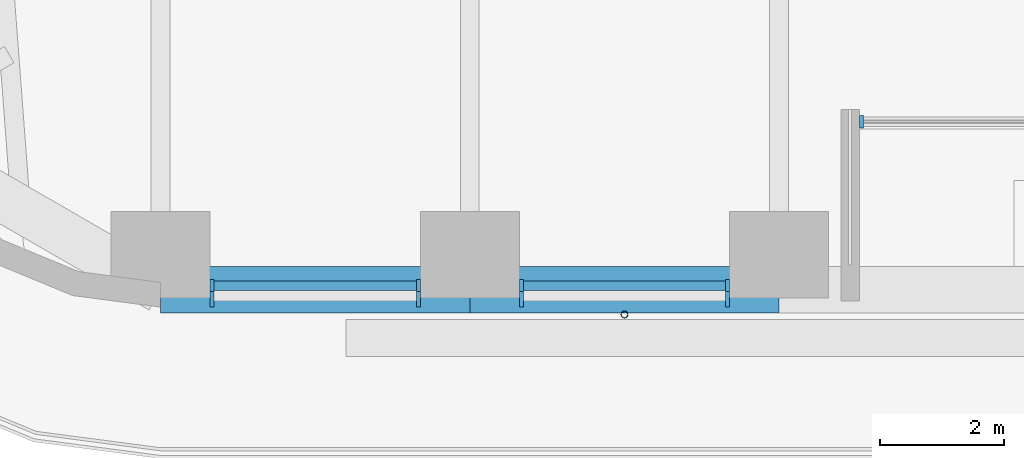
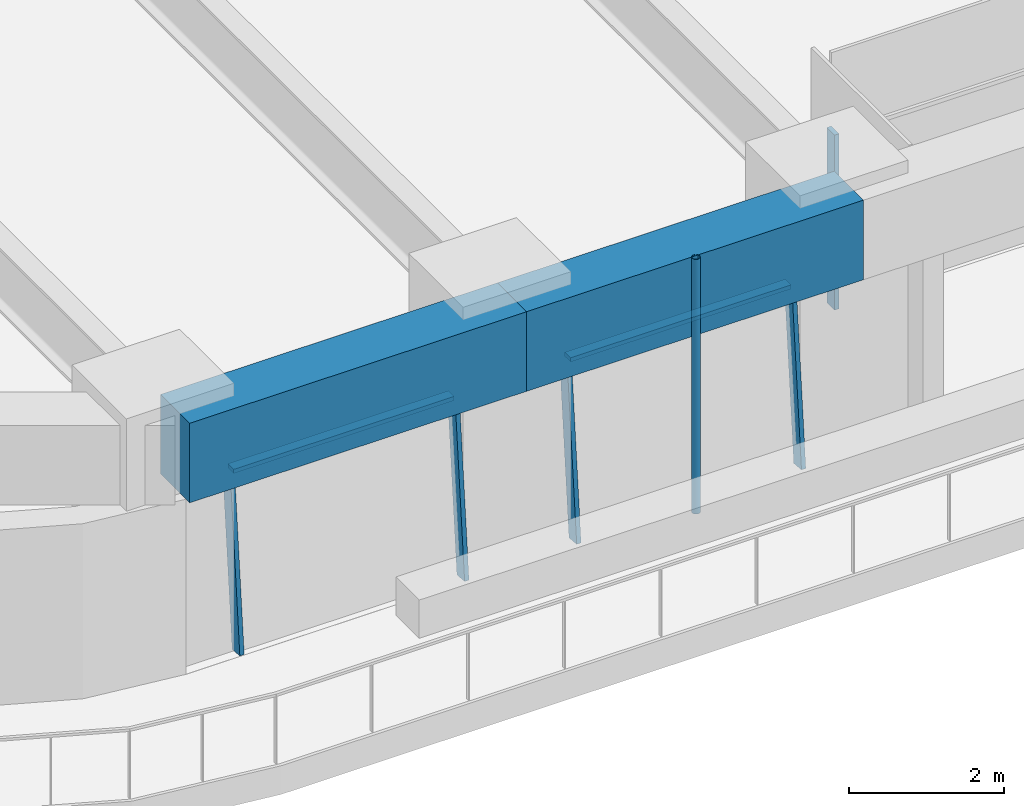
# One storey, part 2 of 24: 8 members, 2 beams, 3 elements without a shape of their own.
"""IFC4 building model written with IfcOpenShell, lengths in metres."""

from ifc_helpers import new_model, si_unit, direction, frame, origin, origin_2d, place, context, subcontext, project, spatial, rectangle, hollow_circle, extrude, material, material_profile, profile_set, type_object, element, aggregate, save


model = new_model("IFC4")

# Units and contexts
model_context = context("Model", 3, precision=1e-05, world=origin(), true_north=direction((0.0, 1.0)))
body_context = subcontext(model_context, "Body", "Model", "MODEL_VIEW")
ifc_project = project(units=[si_unit("LENGTHUNIT", "METRE"), si_unit("AREAUNIT", "SQUARE_METRE"), si_unit("VOLUMEUNIT", "CUBIC_METRE"), si_unit("PLANEANGLEUNIT", "RADIAN"), si_unit("MASSUNIT", "GRAM", prefix="KILO")], contexts=[model_context])

# Site, building, storey
site_placement = place(None, origin())
site = spatial("IfcSite", under=ifc_project, at=site_placement, CompositionType="ELEMENT")
building_placement = place(site_placement, origin())
building = spatial("IfcBuilding", under=site, at=building_placement, Name="Tarfa Lantern Tower", CompositionType="ELEMENT")
storey_placement = place(building_placement, frame((0.0, 0.0, 165.699951171875)))
storey = spatial("IfcBuildingStorey", under=building, at=storey_placement, Name="L37", CompositionType="ELEMENT", Elevation=165.699951171875)

# Curtain wall, members
ifc_material_1 = material(Name="Aluminium framed curtain wall", Category="aluminium")
curtain_wall_type_1 = type_object("IfcCurtainWallType", Name="CW2 CANTED GLAZING MID ZONE 2750", PredefinedType="USERDEFINED", material=ifc_material_1)
curtain_wall_1_placement = place(storey_placement, origin())
curtain_wall_1 = element("IfcCurtainWall", 1, at=curtain_wall_1_placement, inside=storey, type_object=curtain_wall_type_1, Name="CW2 S L37", ObjectType="CURTAIN WALL", PredefinedType="USERDEFINED")
ifc_material_2 = material(Name="Aluminium mullion", Category="aluminium")
ifc_material_profile_1 = material_profile(ifc_material_2, rectangle(XDim=0.06494140625, YDim=0.199951171875, at=origin_2d()), Name="AL MULLION 65x200")
ifc_profile_set_1 = profile_set([ifc_material_profile_1], Name="Aluminium mullion")
member_type_1 = type_object("IfcMemberType", Name="CWM1 MULLION 65x200", PredefinedType="MULLION", material=ifc_profile_set_1)
member_1_placement = place(storey_placement, frame((-14.1787109375, -31.39990234375, 0.0), z_axis=(0.0, 0.090535746043, 0.995893206468), x_axis=(-1.0, 0.0, 0.0)))
member_1 = element("IfcMember", 2, at=member_1_placement, type_object=member_type_1, Name="CW2 mullion 1", PredefinedType="MULLION", context=body_context, shape_type="SweptSolid", body=[
    extrude(rectangle(XDim=0.06494140625, YDim=0.199951171875, at=origin_2d()), origin(), (0.0, 0.0, 1.0), 2.76123046875),
])
member_2_placement = place(storey_placement, frame((-10.83984375, -31.39990234375, 0.0), z_axis=(0.0, 0.090535746043, 0.995893206468), x_axis=(-1.0, 0.0, 0.0)))
member_2 = element("IfcMember", 3, at=member_2_placement, type_object=member_type_1, Name="CW2 mullion 2", PredefinedType="MULLION", context=body_context, shape_type="SweptSolid", body=[
    extrude(rectangle(XDim=0.06494140625, YDim=0.199951171875, at=origin_2d()), origin(), (0.0, 0.0, 1.0), 2.76123046875),
])

curtain_wall_2_placement = place(storey_placement, origin())
curtain_wall_2 = element("IfcCurtainWall", 4, at=curtain_wall_2_placement, inside=storey, type_object=curtain_wall_type_1, Name="CW2 S L37", ObjectType="CURTAIN WALL", PredefinedType="USERDEFINED")
member_3_placement = place(storey_placement, frame((-9.1748046875, -31.39990234375, 0.0), z_axis=(0.0, 0.090535746043, 0.995893206468), x_axis=(-1.0, 0.0, 0.0)))
member_3 = element("IfcMember", 5, at=member_3_placement, type_object=member_type_1, Name="CW2 mullion 1", PredefinedType="MULLION", context=body_context, shape_type="SweptSolid", body=[
    extrude(rectangle(XDim=0.06494140625, YDim=0.199951171875, at=origin_2d()), origin(), (0.0, 0.0, 1.0), 2.76123046875),
])
member_4_placement = place(storey_placement, frame((-5.836181640625, -31.39990234375, 0.0), z_axis=(0.0, 0.090535746043, 0.995893206468), x_axis=(-1.0, 0.0, 0.0)))
member_4 = element("IfcMember", 6, at=member_4_placement, type_object=member_type_1, Name="CW2 mullion 2", PredefinedType="MULLION", context=body_context, shape_type="SweptSolid", body=[
    extrude(rectangle(XDim=0.06494140625, YDim=0.199951171875, at=origin_2d()), origin(), (0.0, 0.0, 1.0), 2.76123046875),
])

# Curtain wall, member
curtain_wall_type_2 = type_object("IfcCurtainWallType", Name="CW10 LOGGIA GLAZING 2750", PredefinedType="USERDEFINED", material=ifc_material_1)
curtain_wall_3_placement = place(storey_placement, origin())
curtain_wall_3 = element("IfcCurtainWall", 7, at=curtain_wall_3_placement, inside=storey, type_object=curtain_wall_type_2, Name="CW10 SL L37", ObjectType="CURTAIN WALL", PredefinedType="USERDEFINED")
member_5_placement = place(storey_placement, frame((-3.671142578125, -28.5, 0.0), z_axis=(0.0, 0.0, 1.0), x_axis=(1.0, 0.0, 0.0)))
member_5 = element("IfcMember", 8, at=member_5_placement, type_object=member_type_1, Name="CW10 mullion 1", PredefinedType="MULLION", context=body_context, shape_type="SweptSolid", body=[
    extrude(rectangle(XDim=0.06494140625, YDim=0.199951171875, at=origin_2d()), origin(), (0.0, 0.0, 1.0), 2.75),
])
aggregate(curtain_wall_3, [member_5])

# Member
ifc_material_3 = material(Name="Aluminium transom", Category="aluminium")
ifc_material_profile_2 = material_profile(ifc_material_3, rectangle(XDim=0.14990234375, YDim=0.06494140625, at=origin_2d()), Name="AL TRANSOM 150x65")
ifc_profile_set_2 = profile_set([ifc_material_profile_2], Name="Aluminium transom")
member_type_2 = type_object("IfcMemberType", Name="CWT1 TRANSOM 150x65", PredefinedType="USERDEFINED", material=ifc_profile_set_2)
member_6_placement = place(storey_placement, frame((-14.14599609375, -31.153076171875, 2.717529296875), z_axis=(1.0, 0.0, 0.0), x_axis=(0.0, 1.0, 0.0)))
member_6 = element("IfcMember", 9, at=member_6_placement, type_object=member_type_2, Name="CW2 transom 1.2", ObjectType="TRANSOM", PredefinedType="USERDEFINED", context=body_context, shape_type="SweptSolid", body=[
    extrude(rectangle(XDim=0.14990234375, YDim=0.06494140625, at=origin_2d()), origin(), (0.0, 0.0, 1.0), 3.273681640625),
])

aggregate(curtain_wall_1, [member_1, member_2, member_6])

member_7_placement = place(storey_placement, frame((-9.142333984375, -31.153076171875, 2.717529296875), z_axis=(1.0, 0.0, 0.0), x_axis=(0.0, 1.0, 0.0)))
member_7 = element("IfcMember", 10, at=member_7_placement, type_object=member_type_2, Name="CW2 transom 1.2", ObjectType="TRANSOM", PredefinedType="USERDEFINED", context=body_context, shape_type="SweptSolid", body=[
    extrude(rectangle(XDim=0.14990234375, YDim=0.06494140625, at=origin_2d()), origin(), (0.0, 0.0, 1.0), 3.273681640625),
])

aggregate(curtain_wall_2, [member_3, member_4, member_7])

# Beams
ifc_material_4 = material(Name="Concrete C80/95", Category="concrete")
ifc_material_profile_3 = material_profile(ifc_material_4, rectangle(XDim=0.75, YDim=1.25, at=origin_2d()), Name="RC 750x1250")
ifc_profile_set_3 = profile_set([ifc_material_profile_3], Name="Concrete C80/95")
beam_type = type_object("IfcBeamType", Name="EB2 RC 750x1250", PredefinedType="SPANDREL", material=ifc_profile_set_3)
for number, where, z_axis, x_axis, name in (
    (11, (-15.010986328125, -31.219970703125, 3.375), (1.0, 0.0, 0.0), (0.0, 1.0, 0.0), "Edge beam S0"),
    (12, (-10.00732421875, -31.219970703125, 3.375), (1.0, 0.0, 0.0), (0.0, 1.0, 0.0), "Edge beam S1"),
):
    element("IfcBeam", number, at=place(storey_placement, frame(where, z_axis=z_axis, x_axis=x_axis)), inside=storey, type_object=beam_type, Name=name, PredefinedType="SPANDREL", context=body_context, shape_type="SweptSolid", body=[
        extrude(rectangle(XDim=0.75, YDim=1.25, at=origin_2d()), origin(), (0.0, 0.0, 1.0), 5.003662109375),
    ])

# Member
ifc_material_5 = material(Name="Steel S355", Category="steel")
ifc_material_profile_4 = material_profile(ifc_material_5, hollow_circle(Radius=0.05712890625, WallThickness=0.00634765625, at=origin_2d()), Name="CHS114.3x6.3")
ifc_profile_set_4 = profile_set([ifc_material_profile_4], Name="Steel S355")
member_type_3 = type_object("IfcMemberType", Name="TR1 GREEN WALL TRELLIS CHS114.3x6.3", PredefinedType="USERDEFINED", material=ifc_profile_set_4)
member_8_placement = place(storey_placement, frame((-7.505615234375, -31.6201171875, 0.0), z_axis=(0.0, 0.0, 1.0), x_axis=(1.0, 0.0, 0.0)))
element("IfcMember", 13, at=member_8_placement, inside=storey, type_object=member_type_3, Name="Trellis post S 1", ObjectType="TRELLIS", PredefinedType="USERDEFINED", context=body_context, shape_type="SweptSolid", body=[
    extrude(hollow_circle(Radius=0.05712890625, WallThickness=0.00634765625, at=origin_2d()), origin(), (0.0, 0.0, 1.0), 4.0),
])

save(model, "model.ifc")
